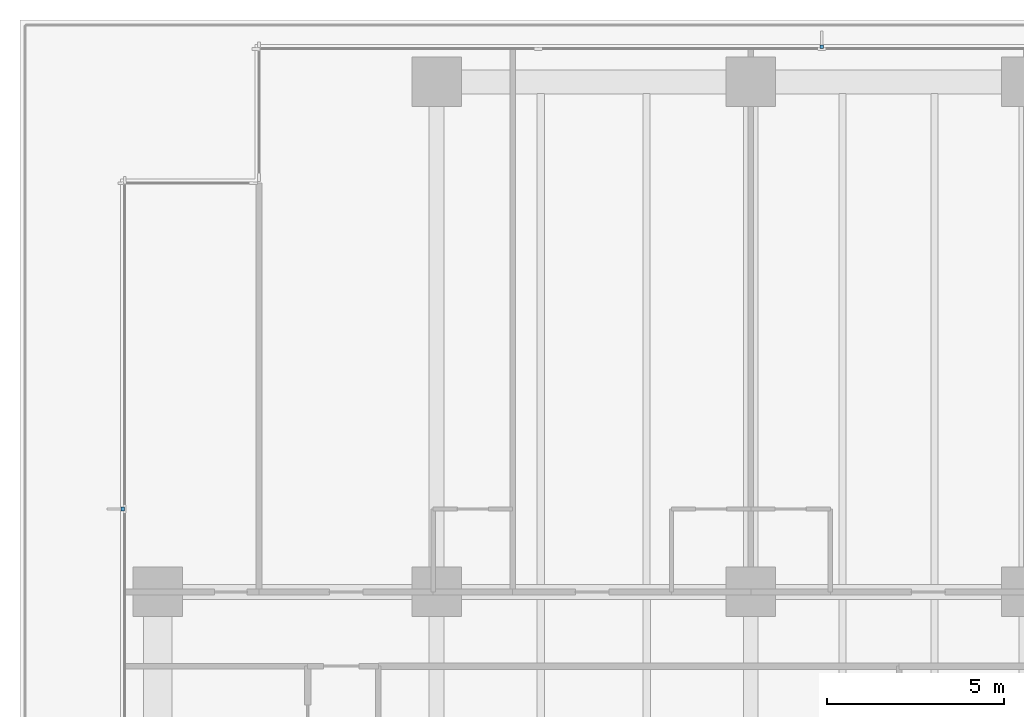
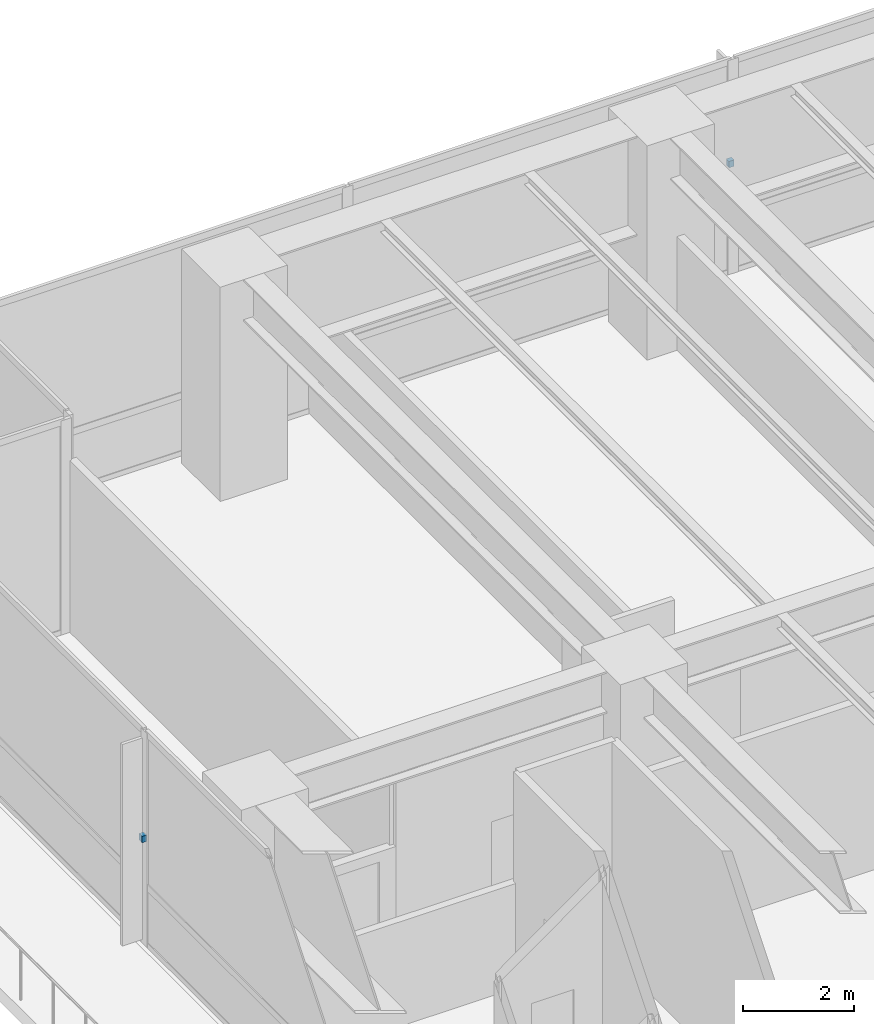
# One storey, part 14 of 19: 2 discrete accessories.
"""IFC4 building model written with IfcOpenShell, lengths in metres."""

from ifc_helpers import new_model, si_unit, direction, frame, origin, place, context, subcontext, project, spatial, polyline, outline, extrude, material, type_object, element, save


model = new_model("IFC4")

# Units and contexts
model_context = context("Model", 3, precision=1e-05, world=origin(), true_north=direction((0.0, 1.0)))
body_context = subcontext(model_context, "Body", "Model", "MODEL_VIEW")
ifc_project = project(units=[si_unit("LENGTHUNIT", "METRE"), si_unit("AREAUNIT", "SQUARE_METRE"), si_unit("VOLUMEUNIT", "CUBIC_METRE"), si_unit("PLANEANGLEUNIT", "RADIAN"), si_unit("MASSUNIT", "GRAM", prefix="KILO")], contexts=[model_context])

# Site, building, storey
site_placement = place(None, origin())
site = spatial("IfcSite", under=ifc_project, at=site_placement, CompositionType="ELEMENT")
building_placement = place(site_placement, origin())
building = spatial("IfcBuilding", under=site, at=building_placement, Name="Qalmaran Belvedere Hotel", CompositionType="ELEMENT")
storey_placement = place(building_placement, frame((0.0, 0.0, 28.39990234375)))
storey = spatial("IfcBuildingStorey", under=building, at=storey_placement, Name="L06", CompositionType="ELEMENT", Elevation=28.39990234375)

# Discrete accessories
ifc_material = material(Name="Stainless Steel 1.4401", Category="steel")
discrete_accessory_type = type_object("IfcDiscreteAccessoryType", Name="BRK-FIN-SS316", PredefinedType="BRACKET", material=ifc_material)
discrete_accessory_1_placement = place(storey_placement, frame((0.0, 0.0, 2.31005859375)))
element("IfcDiscreteAccessory", 1, at=discrete_accessory_1_placement, inside=storey, type_object=discrete_accessory_type, Name="L06 Fin Bracket 3", PredefinedType="BRACKET", context=body_context, shape_type="SweptSolid", body=[
    extrude(outline(polyline([(31.264892578125, 48.39501953125), (31.264892578125, 48.492431640625), (31.155029296875, 48.492431640625), (31.155029296875, 48.39501953125), (31.264892578125, 48.39501953125)])), origin(), (0.0, 0.0, 1.0), 0.14013671875),
])
discrete_accessory_2_placement = place(storey_placement, frame((0.0, 0.0, 2.31005859375)))
element("IfcDiscreteAccessory", 2, at=discrete_accessory_2_placement, inside=storey, type_object=discrete_accessory_type, Name="L06 Fin Bracket 1", PredefinedType="BRACKET", context=body_context, shape_type="SweptSolid", body=[
    extrude(outline(polyline([(11.455078125, 35.405029296875), (11.357421875, 35.405029296875), (11.357421875, 35.294921875), (11.455078125, 35.294921875), (11.455078125, 35.405029296875)])), origin(), (0.0, 0.0, 1.0), 0.14013671875),
])

save(model, "model.ifc")
